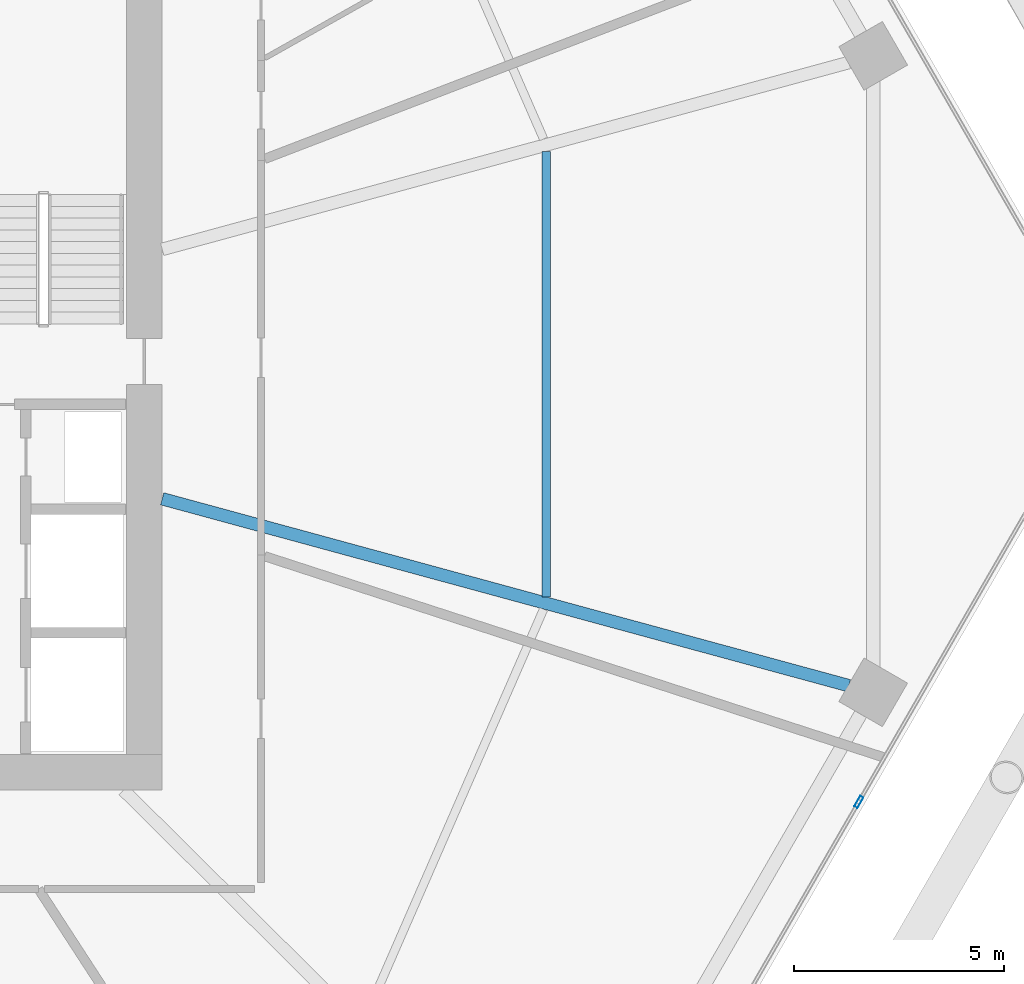
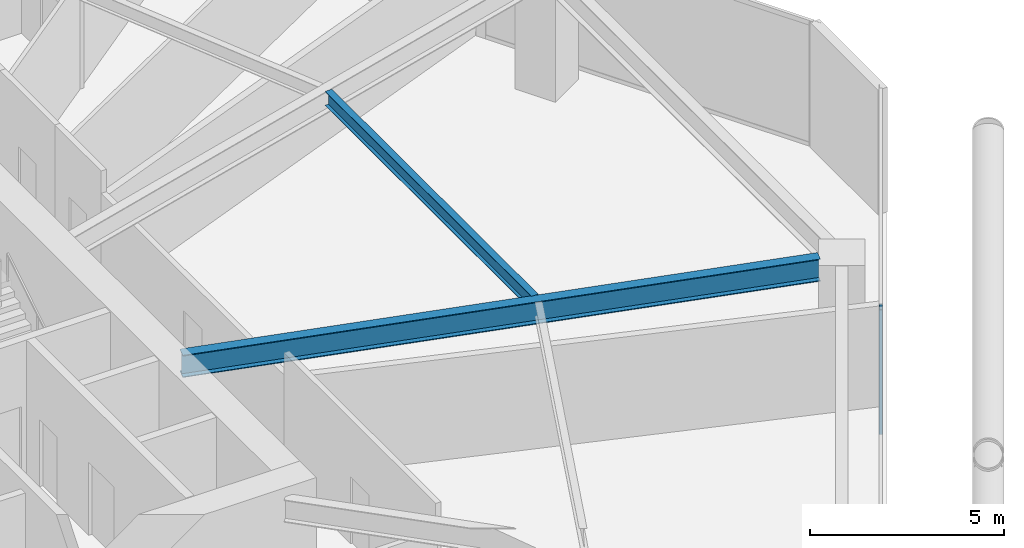
# One storey, part 11 of 28: 2 beams, 1 member, 1 element without a shape of its own.
"""IFC4 building model written with IfcOpenShell, lengths in metres."""

from ifc_helpers import new_model, si_unit, direction, frame, origin, origin_2d, place, context, subcontext, project, spatial, hollow_rectangle, i_section, extrude, material, material_profile, profile_set, type_object, element, aggregate, save


model = new_model("IFC4")

# Units and contexts
model_context = context("Model", 3, precision=1e-05, world=origin(), true_north=direction((0.0, 1.0)))
body_context = subcontext(model_context, "Body", "Model", "MODEL_VIEW")
ifc_project = project(units=[si_unit("LENGTHUNIT", "METRE"), si_unit("AREAUNIT", "SQUARE_METRE"), si_unit("VOLUMEUNIT", "CUBIC_METRE"), si_unit("PLANEANGLEUNIT", "RADIAN"), si_unit("MASSUNIT", "GRAM", prefix="KILO")], contexts=[model_context])

# Site, building, storey
site_placement = place(None, origin())
site = spatial("IfcSite", under=ifc_project, at=site_placement, CompositionType="ELEMENT")
building_placement = place(site_placement, origin())
building = spatial("IfcBuilding", under=site, at=building_placement, Name="Zuhravey Tower", CompositionType="ELEMENT")
storey_placement = place(building_placement, frame((0.0, 0.0, 24.60009765625)))
storey = spatial("IfcBuildingStorey", under=building, at=storey_placement, Name="L06", CompositionType="ELEMENT", Elevation=24.60009765625)

# Curtain wall, member
ifc_material_1 = material(Name="Thermally broken anodised aluminium", Category="aluminium")
curtain_wall_type = type_object("IfcCurtainWallType", Name="School Low-E Unitised Curtain Wall CW1", PredefinedType="NOTDEFINED", material=ifc_material_1)
curtain_wall_placement = place(storey_placement, origin())
curtain_wall = element("IfcCurtainWall", 1, at=curtain_wall_placement, inside=storey, type_object=curtain_wall_type, Name="L06 CW1 CW-L06-F6-1", PredefinedType="NOTDEFINED")
ifc_material_2 = material(Name="Anodised aluminium", Category="aluminium")
ifc_material_profile_1 = material_profile(ifc_material_2, hollow_rectangle(XDim=0.090087890625, YDim=0.284912109375, WallThickness=0.0048828125, at=origin_2d()), Name="ALU-RHS-90x285x5")
ifc_profile_set_1 = profile_set([ifc_material_profile_1], Name="Anodised aluminium")
member_type = type_object("IfcMemberType", Name="Curtain-Wall Mullion 90x180", PredefinedType="MULLION", material=ifc_profile_set_1)
member_placement = place(storey_placement, frame((63.54541015625, 21.79296875, 0.0), z_axis=(0.0, 0.0, 1.0), x_axis=(0.86602552265, -0.499999794119, 0.0)))
member = element("IfcMember", 2, at=member_placement, type_object=member_type, Name="CW1 mullion 2", PredefinedType="MULLION", context=body_context, shape_type="SweptSolid", body=[
    extrude(hollow_rectangle(XDim=0.090087890625, YDim=0.284912109375, WallThickness=0.0048828125, at=origin_2d()), origin(), (0.0, 0.0, 1.0), 3.919921875),
])
aggregate(curtain_wall, [member])

# Beams
ifc_material_3 = material(Name="Steel SM355", Category="steel")
ifc_material_profile_2 = material_profile(ifc_material_3, i_section(OverallWidth=0.300048828125, OverallDepth=0.699951171875, WebThickness=0.012939453125, FlangeThickness=0.02392578125, at=origin_2d()), Name="H-700x300x13x24")
ifc_profile_set_2 = profile_set([ifc_material_profile_2], Name="Steel SM355")
beam_type_1 = type_object("IfcBeamType", Name="Radial Primary Girder H700x300", PredefinedType="BEAM", material=ifc_profile_set_2)
beam_1_placement = place(storey_placement, frame((46.927978515625, 29.025390625, 3.56982421875), z_axis=(0.964892480455, -0.26264520015, 0.0), x_axis=(0.26264520015, 0.964892480455, 0.0)))
element("IfcBeam", 3, at=beam_1_placement, inside=storey, type_object=beam_type_1, Name="L06 RG1 BM-L06-RAD-12", PredefinedType="BEAM", context=body_context, shape_type="SweptSolid", body=[
    extrude(i_section(OverallWidth=0.300048828125, OverallDepth=0.699951171875, WebThickness=0.012939453125, FlangeThickness=0.02392578125, at=origin_2d()), origin(), (0.0, 0.0, 1.0), 16.975341796875),
])
ifc_material_profile_3 = material_profile(ifc_material_3, i_section(OverallWidth=0.199951171875, OverallDepth=0.449951171875, WebThickness=0.009033203125, FlangeThickness=0.013916015625, at=origin_2d()), Name="H-450x200x9x14")
ifc_profile_set_3 = profile_set([ifc_material_profile_3], Name="Steel SM355")
beam_type_2 = type_object("IfcBeamType", Name="Secondary Floor Joist H450x200", PredefinedType="JOIST", material=ifc_profile_set_3)
beam_2_placement = place(storey_placement, frame((56.0869140625, 26.686279296875, 3.69482421875), z_axis=(0.0, 1.0, 0.0), x_axis=(-1.0, 0.0, 0.0)))
element("IfcBeam", 4, at=beam_2_placement, inside=storey, type_object=beam_type_2, Name="L06 SJ1 BM-L06-SJ-12-1", PredefinedType="JOIST", context=body_context, shape_type="SweptSolid", body=[
    extrude(i_section(OverallWidth=0.199951171875, OverallDepth=0.449951171875, WebThickness=0.009033203125, FlangeThickness=0.013916015625, at=origin_2d()), origin(), (0.0, 0.0, 1.0), 10.62744140625),
])

save(model, "model.ifc")
